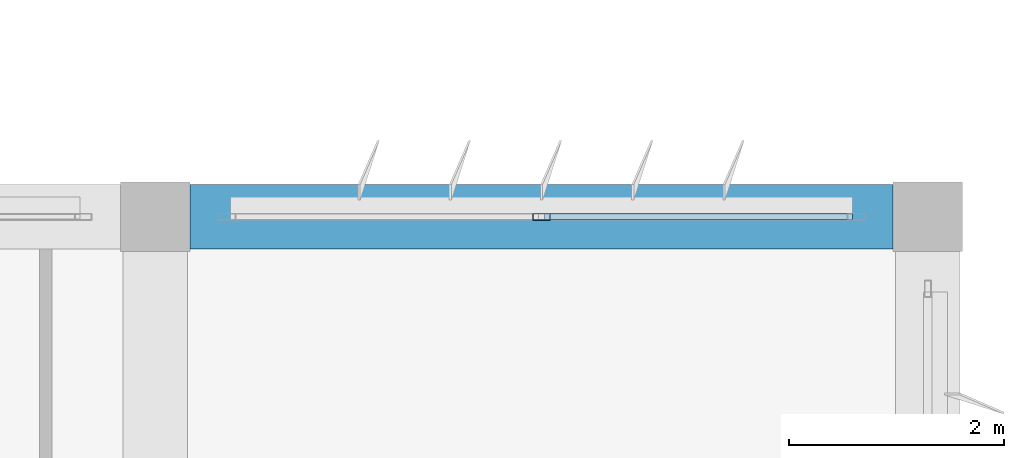
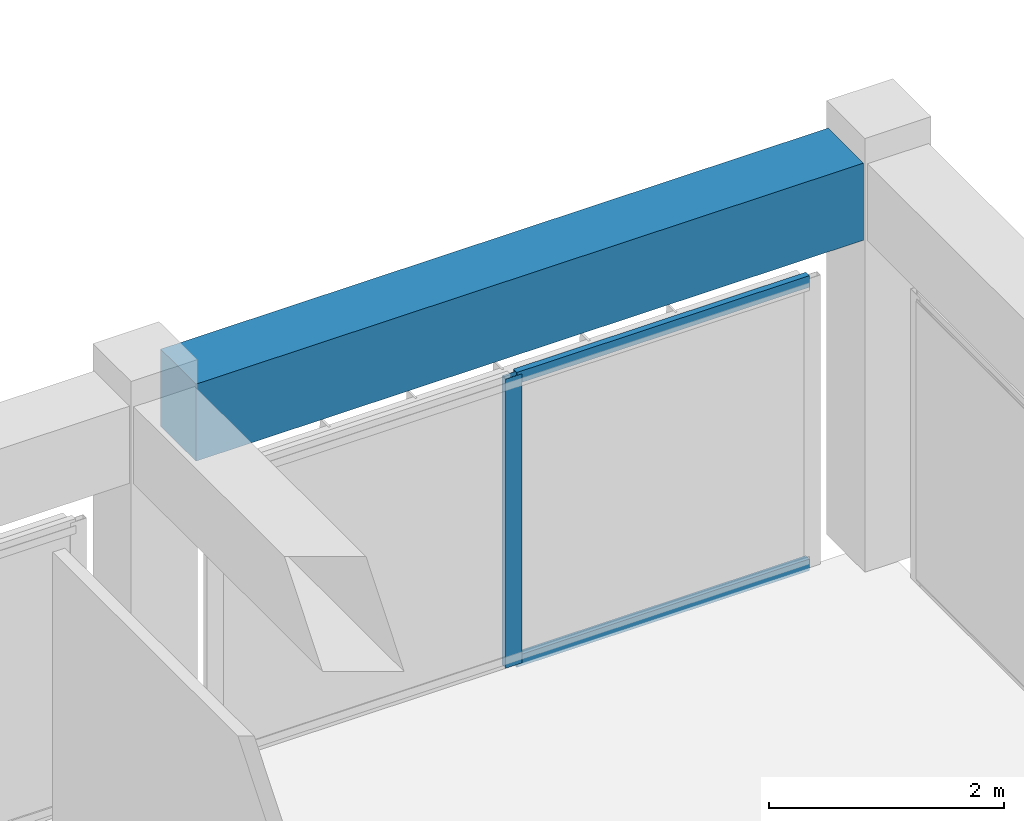
# One storey, part 28 of 56: 3 members, 1 beam, 1 element without a shape of its own.
"""IFC4 building model written with IfcOpenShell, lengths in metres."""

from ifc_helpers import new_model, si_unit, direction, frame, origin, origin_2d, place, context, subcontext, project, spatial, rectangle, hollow_rectangle, extrude, material, material_profile, profile_set, type_object, element, aggregate, save


model = new_model("IFC4")

# Units and contexts
model_context = context("Model", 3, precision=1e-05, world=origin(), true_north=direction((0.0, 1.0)))
body_context = subcontext(model_context, "Body", "Model", "MODEL_VIEW")
ifc_project = project(units=[si_unit("LENGTHUNIT", "METRE"), si_unit("AREAUNIT", "SQUARE_METRE"), si_unit("VOLUMEUNIT", "CUBIC_METRE"), si_unit("PLANEANGLEUNIT", "RADIAN"), si_unit("MASSUNIT", "GRAM", prefix="KILO")], contexts=[model_context])

# Site, building, storey
site_placement = place(None, origin())
site = spatial("IfcSite", under=ifc_project, at=site_placement, CompositionType="ELEMENT")
building_placement = place(site_placement, origin())
building = spatial("IfcBuilding", under=site, at=building_placement, Name="Kazehaya Institute of Natural Sciences", CompositionType="ELEMENT")
storey_placement = place(building_placement, frame((0.0, 0.0, 28.800048828125)))
storey = spatial("IfcBuildingStorey", under=building, at=storey_placement, Name="L06", CompositionType="ELEMENT", Elevation=28.800048828125)

# Beam
ifc_material_1 = material(Name="Concrete Fc36", Category="concrete")
ifc_material_profile_1 = material_profile(ifc_material_1, rectangle(XDim=0.60009765625, YDim=0.800048828125, at=origin_2d()), Name="RC-600x800")
ifc_profile_set_1 = profile_set([ifc_material_profile_1], Name="Concrete Fc36")
beam_type = type_object("IfcBeamType", Name="BM-G-600x800", PredefinedType="BEAM", material=ifc_profile_set_1)
beam_placement = place(storey_placement, frame((112.52490234375, 35.60009765625, 3.829833984375), z_axis=(1.0, 0.0, 0.0), x_axis=(0.0, 1.0, 0.0)))
element("IfcBeam", 1, at=beam_placement, inside=storey, type_object=beam_type, Name="L06 primary X girder BMX-L06-1122-356", PredefinedType="BEAM", context=body_context, shape_type="SweptSolid", body=[
    extrude(rectangle(XDim=0.60009765625, YDim=0.800048828125, at=origin_2d()), origin(), (0.0, 0.0, 1.0), 6.550048828125),
])

# Curtain wall, members
ifc_material_2 = material(Name="Aluminium alloy A6063S-T5", Category="aluminium")
curtain_wall_type = type_object("IfcCurtainWallType", Name="CW-SYS-04", PredefinedType="NOTDEFINED", material=ifc_material_2)
curtain_wall_placement = place(storey_placement, origin())
curtain_wall = element("IfcCurtainWall", 2, at=curtain_wall_placement, inside=storey, type_object=curtain_wall_type, Name="L06 unitised curtain wall CW-L06-137", PredefinedType="NOTDEFINED")
ifc_material_profile_2 = material_profile(ifc_material_2, hollow_rectangle(XDim=0.06005859375, YDim=0.159912109375, WallThickness=0.00390625, at=origin_2d()), Name="ALU-60x160x4")
ifc_profile_set_2 = profile_set([ifc_material_profile_2], Name="Aluminium alloy A6063S-T5")
member_type_1 = type_object("IfcMemberType", Name="CWM-160", PredefinedType="MULLION", material=ifc_profile_set_2)
member_1_placement = place(storey_placement, frame((115.800048828125, 35.60009765625, 0.0), z_axis=(0.0, 0.0, 1.0), x_axis=(0.0, 1.0, 0.0)))
member_1 = element("IfcMember", 3, at=member_1_placement, type_object=member_type_1, Name="CW04 mullion 2", PredefinedType="MULLION", context=body_context, shape_type="SweptSolid", body=[
    extrude(hollow_rectangle(XDim=0.06005859375, YDim=0.159912109375, WallThickness=0.00390625, at=origin_2d()), origin(), (0.0, 0.0, 1.0), 3.0),
])
ifc_material_profile_3 = material_profile(ifc_material_2, hollow_rectangle(XDim=0.06005859375, YDim=0.1201171875, WallThickness=0.00341796875, at=origin_2d()), Name="ALU-60x120x3.5")
ifc_profile_set_3 = profile_set([ifc_material_profile_3], Name="Aluminium alloy A6063S-T5")
member_type_2 = type_object("IfcMemberType", Name="CWT-120", PredefinedType="USERDEFINED", material=ifc_profile_set_3)
member_2_placement = place(storey_placement, frame((115.830078125, 35.60009765625, 0.030029296875), z_axis=(1.0, 0.0, 0.0), x_axis=(0.0, 1.0, 0.0)))
member_2 = element("IfcMember", 4, at=member_2_placement, type_object=member_type_2, Name="CW04 transom 2.1", ObjectType="TRANSOM", PredefinedType="USERDEFINED", context=body_context, shape_type="SweptSolid", body=[
    extrude(hollow_rectangle(XDim=0.06005859375, YDim=0.1201171875, WallThickness=0.00341796875, at=origin_2d()), origin(), (0.0, 0.0, 1.0), 2.869873046875),
])
member_3_placement = place(storey_placement, frame((115.830078125, 35.60009765625, 2.969970703125), z_axis=(1.0, 0.0, 0.0), x_axis=(0.0, 1.0, 0.0)))
member_3 = element("IfcMember", 5, at=member_3_placement, type_object=member_type_2, Name="CW04 transom 2.2", ObjectType="TRANSOM", PredefinedType="USERDEFINED", context=body_context, shape_type="SweptSolid", body=[
    extrude(hollow_rectangle(XDim=0.06005859375, YDim=0.1201171875, WallThickness=0.00341796875, at=origin_2d()), origin(), (0.0, 0.0, 1.0), 2.869873046875),
])
aggregate(curtain_wall, [member_1, member_2, member_3])

save(model, "model.ifc")
